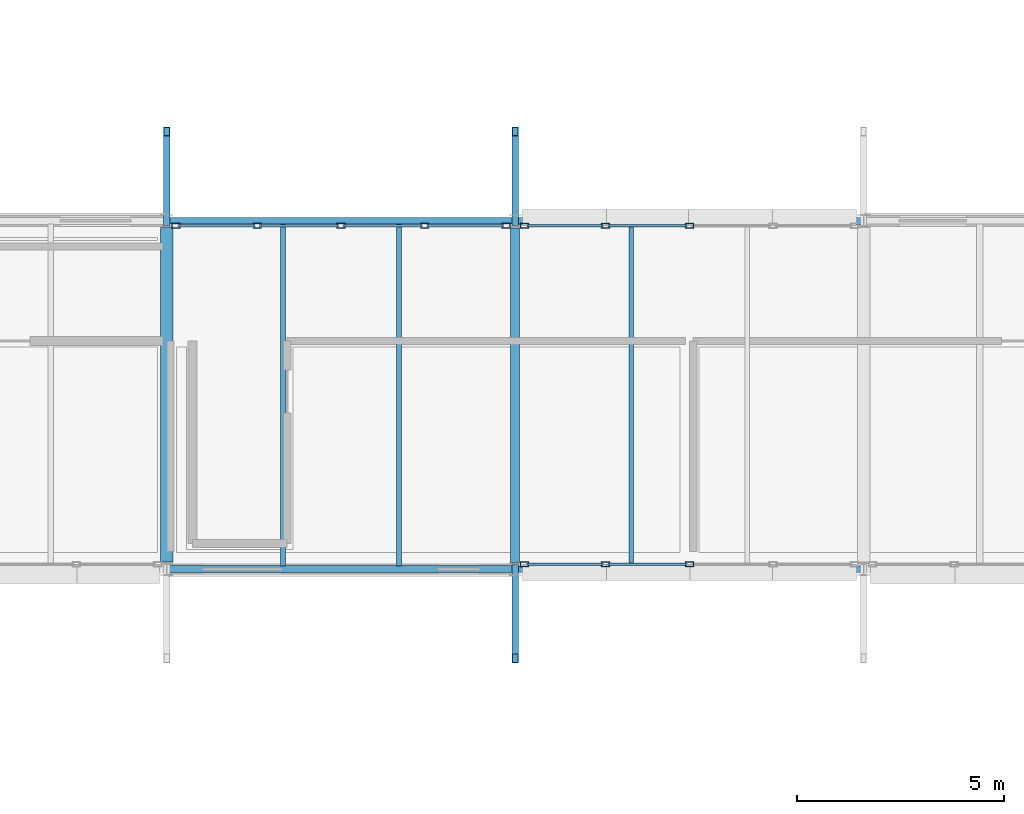
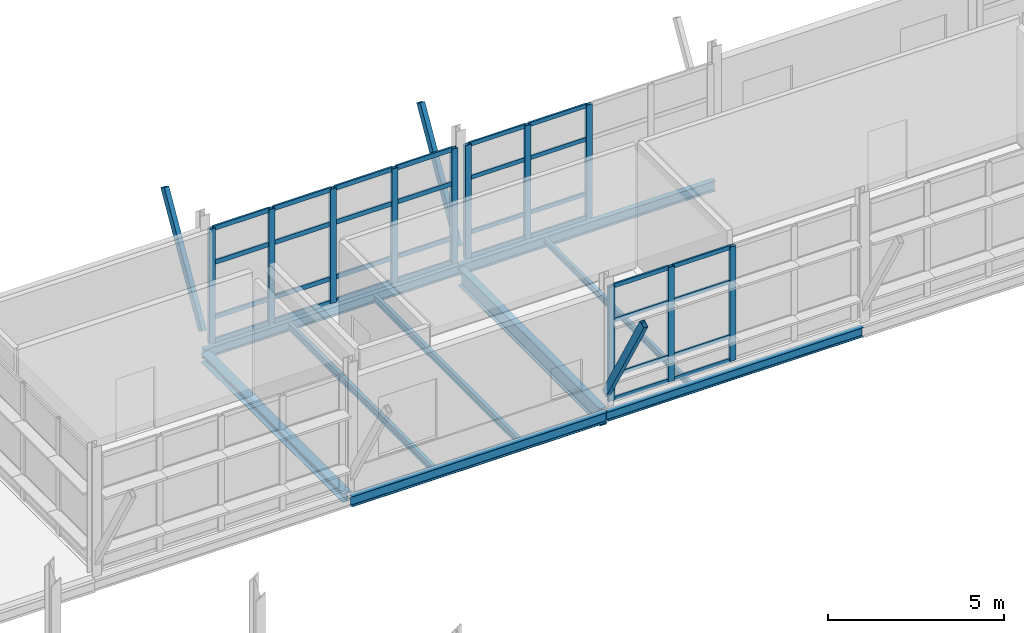
# One storey, part 21 of 129: 46 members, 9 beams, 3 elements without a shape of their own.
"""IFC4 building model written with IfcOpenShell, lengths in metres."""

from ifc_helpers import new_model, si_unit, direction, frame, origin, origin_2d, place, context, subcontext, project, spatial, hollow_rectangle, i_section, extrude, material, material_profile, profile_set, type_object, element, aggregate, save


model = new_model("IFC4")

# Units and contexts
model_context = context("Model", 3, precision=1e-05, world=origin(), true_north=direction((0.0, 1.0)))
body_context = subcontext(model_context, "Body", "Model", "MODEL_VIEW")
ifc_project = project(units=[si_unit("LENGTHUNIT", "METRE"), si_unit("AREAUNIT", "SQUARE_METRE"), si_unit("VOLUMEUNIT", "CUBIC_METRE"), si_unit("PLANEANGLEUNIT", "RADIAN"), si_unit("MASSUNIT", "GRAM", prefix="KILO")], contexts=[model_context])

# Site, building, storey
site_placement = place(None, origin())
site = spatial("IfcSite", under=ifc_project, at=site_placement, CompositionType="ELEMENT")
building_placement = place(site_placement, origin())
building = spatial("IfcBuilding", under=site, at=building_placement, Name="Mersafa Astral City Hall", CompositionType="ELEMENT")
storey_placement = place(building_placement, frame((0.0, 0.0, 5.39990234375)))
storey = spatial("IfcBuildingStorey", under=building, at=storey_placement, Name="L01", CompositionType="ELEMENT", Elevation=5.39990234375)

# Curtain wall, members
ifc_material_1 = material(Name="Anodised bronze aluminium framing", Category="aluminium")
curtain_wall_type_1 = type_object("IfcCurtainWallType", Name="ENV-CW-2", PredefinedType="USERDEFINED", material=ifc_material_1)
curtain_wall_1_placement = place(storey_placement, origin())
curtain_wall_1 = element("IfcCurtainWall", 1, at=curtain_wall_1_placement, inside=storey, type_object=curtain_wall_type_1, Name="L01 Unitised solar curtain wall 97", ObjectType="UNITISED CURTAIN WALL", PredefinedType="USERDEFINED")
ifc_material_profile_1 = material_profile(ifc_material_1, hollow_rectangle(XDim=0.1201171875, YDim=0.199951171875, WallThickness=0.008056640625, at=origin_2d()), Name="RHS 120x200x8")
ifc_profile_set_1 = profile_set([ifc_material_profile_1], Name="Anodised bronze aluminium framing")
member_type_1 = type_object("IfcMemberType", Name="ENV-CW-MUL-2", PredefinedType="MULLION", material=ifc_profile_set_1)
member_1_placement = place(storey_placement, frame((63.0, 58.679931640625, -0.001953125), z_axis=(0.0, 0.0, 1.0), x_axis=(0.0, -1.0, 0.0)))
member_1 = element("IfcMember", 2, at=member_1_placement, type_object=member_type_1, Name="CW-2 mullion 3", PredefinedType="MULLION", context=body_context, shape_type="SweptSolid", body=[
    extrude(hollow_rectangle(XDim=0.1201171875, YDim=0.199951171875, WallThickness=0.008056640625, at=origin_2d()), origin(), (0.0, 0.0, 1.0), 3.93896484375),
])
member_2_placement = place(storey_placement, frame((60.98095703125, 58.679931640625, -0.001953125), z_axis=(0.0, 0.0, 1.0), x_axis=(0.0, -1.0, 0.0)))
member_2 = element("IfcMember", 3, at=member_2_placement, type_object=member_type_1, Name="CW-2 mullion 4", PredefinedType="MULLION", context=body_context, shape_type="SweptSolid", body=[
    extrude(hollow_rectangle(XDim=0.1201171875, YDim=0.199951171875, WallThickness=0.008056640625, at=origin_2d()), origin(), (0.0, 0.0, 1.0), 3.93896484375),
])
member_3_placement = place(storey_placement, frame((59.02197265625, 58.679931640625, -0.001953125), z_axis=(0.0, 0.0, 1.0), x_axis=(0.0, -1.0, 0.0)))
member_3 = element("IfcMember", 4, at=member_3_placement, type_object=member_type_1, Name="CW-2 mullion 5", PredefinedType="MULLION", context=body_context, shape_type="SweptSolid", body=[
    extrude(hollow_rectangle(XDim=0.1201171875, YDim=0.199951171875, WallThickness=0.008056640625, at=origin_2d()), origin(), (0.0, 0.0, 1.0), 3.93896484375),
])

curtain_wall_type_2 = type_object("IfcCurtainWallType", Name="ENV-CW-3", PredefinedType="USERDEFINED", material=ifc_material_1)
curtain_wall_2_placement = place(storey_placement, origin())
curtain_wall_2 = element("IfcCurtainWall", 5, at=curtain_wall_2_placement, inside=storey, type_object=curtain_wall_type_2, Name="L01 Unitised solar curtain wall 98", ObjectType="UNITISED CURTAIN WALL", PredefinedType="USERDEFINED")
member_4_placement = place(storey_placement, frame((58.577880859375, 58.679931640625, -0.001953125), z_axis=(0.0, 0.0, 1.0), x_axis=(0.0, -1.0, 0.0)))
member_4 = element("IfcMember", 6, at=member_4_placement, type_object=member_type_1, Name="CW-3 mullion 1", PredefinedType="MULLION", context=body_context, shape_type="SweptSolid", body=[
    extrude(hollow_rectangle(XDim=0.1201171875, YDim=0.199951171875, WallThickness=0.008056640625, at=origin_2d()), origin(), (0.0, 0.0, 1.0), 3.968994140625),
])
member_5_placement = place(storey_placement, frame((56.618896484375, 58.679931640625, -0.001953125), z_axis=(0.0, 0.0, 1.0), x_axis=(0.0, -1.0, 0.0)))
member_5 = element("IfcMember", 7, at=member_5_placement, type_object=member_type_1, Name="CW-3 mullion 2", PredefinedType="MULLION", context=body_context, shape_type="SweptSolid", body=[
    extrude(hollow_rectangle(XDim=0.1201171875, YDim=0.199951171875, WallThickness=0.008056640625, at=origin_2d()), origin(), (0.0, 0.0, 1.0), 3.968994140625),
])
member_6_placement = place(storey_placement, frame((54.60009765625, 58.679931640625, -0.001953125), z_axis=(0.0, 0.0, 1.0), x_axis=(0.0, -1.0, 0.0)))
member_6 = element("IfcMember", 8, at=member_6_placement, type_object=member_type_1, Name="CW-3 mullion 3", PredefinedType="MULLION", context=body_context, shape_type="SweptSolid", body=[
    extrude(hollow_rectangle(XDim=0.1201171875, YDim=0.199951171875, WallThickness=0.008056640625, at=origin_2d()), origin(), (0.0, 0.0, 1.0), 3.968994140625),
])
member_7_placement = place(storey_placement, frame((52.5810546875, 58.679931640625, -0.001953125), z_axis=(0.0, 0.0, 1.0), x_axis=(0.0, -1.0, 0.0)))
member_7 = element("IfcMember", 9, at=member_7_placement, type_object=member_type_1, Name="CW-3 mullion 4", PredefinedType="MULLION", context=body_context, shape_type="SweptSolid", body=[
    extrude(hollow_rectangle(XDim=0.1201171875, YDim=0.199951171875, WallThickness=0.008056640625, at=origin_2d()), origin(), (0.0, 0.0, 1.0), 3.968994140625),
])
member_8_placement = place(storey_placement, frame((50.6220703125, 58.679931640625, -0.001953125), z_axis=(0.0, 0.0, 1.0), x_axis=(0.0, -1.0, 0.0)))
member_8 = element("IfcMember", 10, at=member_8_placement, type_object=member_type_1, Name="CW-3 mullion 5", PredefinedType="MULLION", context=body_context, shape_type="SweptSolid", body=[
    extrude(hollow_rectangle(XDim=0.1201171875, YDim=0.199951171875, WallThickness=0.008056640625, at=origin_2d()), origin(), (0.0, 0.0, 1.0), 3.968994140625),
])

curtain_wall_type_3 = type_object("IfcCurtainWallType", Name="ENV-CW-6", PredefinedType="USERDEFINED", material=ifc_material_1)
curtain_wall_3_placement = place(storey_placement, origin())
curtain_wall_3 = element("IfcCurtainWall", 11, at=curtain_wall_3_placement, inside=storey, type_object=curtain_wall_type_3, Name="L01 Unitised solar curtain wall 101", ObjectType="UNITISED CURTAIN WALL", PredefinedType="USERDEFINED")
member_9_placement = place(storey_placement, frame((59.02197265625, 50.52001953125, -0.001953125), z_axis=(0.0, 0.0, 1.0), x_axis=(0.0, 1.0, 0.0)))
member_9 = element("IfcMember", 12, at=member_9_placement, type_object=member_type_1, Name="CW-6 mullion 1", PredefinedType="MULLION", context=body_context, shape_type="SweptSolid", body=[
    extrude(hollow_rectangle(XDim=0.1201171875, YDim=0.199951171875, WallThickness=0.008056640625, at=origin_2d()), origin(), (0.0, 0.0, 1.0), 3.968994140625),
])
member_10_placement = place(storey_placement, frame((60.98095703125, 50.52001953125, -0.001953125), z_axis=(0.0, 0.0, 1.0), x_axis=(0.0, 1.0, 0.0)))
member_10 = element("IfcMember", 13, at=member_10_placement, type_object=member_type_1, Name="CW-6 mullion 2", PredefinedType="MULLION", context=body_context, shape_type="SweptSolid", body=[
    extrude(hollow_rectangle(XDim=0.1201171875, YDim=0.199951171875, WallThickness=0.008056640625, at=origin_2d()), origin(), (0.0, 0.0, 1.0), 3.968994140625),
])
member_11_placement = place(storey_placement, frame((63.0, 50.52001953125, -0.001953125), z_axis=(0.0, 0.0, 1.0), x_axis=(0.0, 1.0, 0.0)))
member_11 = element("IfcMember", 14, at=member_11_placement, type_object=member_type_1, Name="CW-6 mullion 3", PredefinedType="MULLION", context=body_context, shape_type="SweptSolid", body=[
    extrude(hollow_rectangle(XDim=0.1201171875, YDim=0.199951171875, WallThickness=0.008056640625, at=origin_2d()), origin(), (0.0, 0.0, 1.0), 3.968994140625),
])

# Member
ifc_material_profile_2 = material_profile(ifc_material_1, hollow_rectangle(XDim=0.06005859375, YDim=0.139892578125, WallThickness=0.00390625, at=origin_2d()), Name="RHS 60x140x4")
ifc_profile_set_2 = profile_set([ifc_material_profile_2], Name="Anodised bronze aluminium framing")
member_type_2 = type_object("IfcMemberType", Name="ENV-CW-TRN-1", PredefinedType="USERDEFINED", material=ifc_profile_set_2)
member_12_placement = place(storey_placement, frame((62.93994140625, 58.679931640625, 0.028076171875), z_axis=(-1.0, 0.0, 0.0), x_axis=(0.0, -1.0, 0.0)))
member_12 = element("IfcMember", 15, at=member_12_placement, type_object=member_type_2, Name="CW-2 transom 3.1", ObjectType="TRANSOM", PredefinedType="USERDEFINED", context=body_context, shape_type="SweptSolid", body=[
    extrude(hollow_rectangle(XDim=0.06005859375, YDim=0.139892578125, WallThickness=0.00390625, at=origin_2d()), origin(), (0.0, 0.0, 1.0), 1.89892578125),
])

member_13_placement = place(storey_placement, frame((62.93994140625, 58.679931640625, 0.85009765625), z_axis=(-1.0, 0.0, 0.0), x_axis=(0.0, -1.0, 0.0)))
member_13 = element("IfcMember", 16, at=member_13_placement, type_object=member_type_2, Name="CW-2 transom 3.2", ObjectType="TRANSOM", PredefinedType="USERDEFINED", context=body_context, shape_type="SweptSolid", body=[
    extrude(hollow_rectangle(XDim=0.06005859375, YDim=0.139892578125, WallThickness=0.00390625, at=origin_2d()), origin(), (0.0, 0.0, 1.0), 1.89892578125),
])

member_14_placement = place(storey_placement, frame((62.93994140625, 58.679931640625, 2.75), z_axis=(-1.0, 0.0, 0.0), x_axis=(0.0, -1.0, 0.0)))
member_14 = element("IfcMember", 17, at=member_14_placement, type_object=member_type_2, Name="CW-2 transom 3.3", ObjectType="TRANSOM", PredefinedType="USERDEFINED", context=body_context, shape_type="SweptSolid", body=[
    extrude(hollow_rectangle(XDim=0.06005859375, YDim=0.139892578125, WallThickness=0.00390625, at=origin_2d()), origin(), (0.0, 0.0, 1.0), 1.89892578125),
])

member_15_placement = place(storey_placement, frame((62.93994140625, 58.679931640625, 3.906982421875), z_axis=(-1.0, 0.0, 0.0), x_axis=(0.0, -1.0, 0.0)))
member_15 = element("IfcMember", 18, at=member_15_placement, type_object=member_type_2, Name="CW-2 transom 3.4", ObjectType="TRANSOM", PredefinedType="USERDEFINED", context=body_context, shape_type="SweptSolid", body=[
    extrude(hollow_rectangle(XDim=0.06005859375, YDim=0.139892578125, WallThickness=0.00390625, at=origin_2d()), origin(), (0.0, 0.0, 1.0), 1.89892578125),
])

member_16_placement = place(storey_placement, frame((60.9208984375, 58.679931640625, 0.028076171875), z_axis=(-1.0, 0.0, 0.0), x_axis=(0.0, -1.0, 0.0)))
member_16 = element("IfcMember", 19, at=member_16_placement, type_object=member_type_2, Name="CW-2 transom 4.1", ObjectType="TRANSOM", PredefinedType="USERDEFINED", context=body_context, shape_type="SweptSolid", body=[
    extrude(hollow_rectangle(XDim=0.06005859375, YDim=0.139892578125, WallThickness=0.00390625, at=origin_2d()), origin(), (0.0, 0.0, 1.0), 1.8388671875),
])

member_17_placement = place(storey_placement, frame((60.9208984375, 58.679931640625, 0.85009765625), z_axis=(-1.0, 0.0, 0.0), x_axis=(0.0, -1.0, 0.0)))
member_17 = element("IfcMember", 20, at=member_17_placement, type_object=member_type_2, Name="CW-2 transom 4.2", ObjectType="TRANSOM", PredefinedType="USERDEFINED", context=body_context, shape_type="SweptSolid", body=[
    extrude(hollow_rectangle(XDim=0.06005859375, YDim=0.139892578125, WallThickness=0.00390625, at=origin_2d()), origin(), (0.0, 0.0, 1.0), 1.8388671875),
])

member_18_placement = place(storey_placement, frame((60.9208984375, 58.679931640625, 2.75), z_axis=(-1.0, 0.0, 0.0), x_axis=(0.0, -1.0, 0.0)))
member_18 = element("IfcMember", 21, at=member_18_placement, type_object=member_type_2, Name="CW-2 transom 4.3", ObjectType="TRANSOM", PredefinedType="USERDEFINED", context=body_context, shape_type="SweptSolid", body=[
    extrude(hollow_rectangle(XDim=0.06005859375, YDim=0.139892578125, WallThickness=0.00390625, at=origin_2d()), origin(), (0.0, 0.0, 1.0), 1.8388671875),
])

member_19_placement = place(storey_placement, frame((60.9208984375, 58.679931640625, 3.906982421875), z_axis=(-1.0, 0.0, 0.0), x_axis=(0.0, -1.0, 0.0)))
member_19 = element("IfcMember", 22, at=member_19_placement, type_object=member_type_2, Name="CW-2 transom 4.4", ObjectType="TRANSOM", PredefinedType="USERDEFINED", context=body_context, shape_type="SweptSolid", body=[
    extrude(hollow_rectangle(XDim=0.06005859375, YDim=0.139892578125, WallThickness=0.00390625, at=origin_2d()), origin(), (0.0, 0.0, 1.0), 1.8388671875),
])

aggregate(curtain_wall_1, [member_1, member_2, member_3, member_12, member_13, member_14, member_15, member_16, member_17, member_18, member_19])

member_20_placement = place(storey_placement, frame((59.08203125, 50.52001953125, 0.028076171875), z_axis=(1.0, 0.0, 0.0), x_axis=(0.0, 1.0, 0.0)))
member_20 = element("IfcMember", 23, at=member_20_placement, type_object=member_type_2, Name="CW-6 transom 1.1", ObjectType="TRANSOM", PredefinedType="USERDEFINED", context=body_context, shape_type="SweptSolid", body=[
    extrude(hollow_rectangle(XDim=0.06005859375, YDim=0.139892578125, WallThickness=0.00390625, at=origin_2d()), origin(), (0.0, 0.0, 1.0), 1.8388671875),
])

member_21_placement = place(storey_placement, frame((59.08203125, 50.52001953125, 0.85009765625), z_axis=(1.0, 0.0, 0.0), x_axis=(0.0, 1.0, 0.0)))
member_21 = element("IfcMember", 24, at=member_21_placement, type_object=member_type_2, Name="CW-6 transom 1.2", ObjectType="TRANSOM", PredefinedType="USERDEFINED", context=body_context, shape_type="SweptSolid", body=[
    extrude(hollow_rectangle(XDim=0.06005859375, YDim=0.139892578125, WallThickness=0.00390625, at=origin_2d()), origin(), (0.0, 0.0, 1.0), 1.8388671875),
])

member_22_placement = place(storey_placement, frame((59.08203125, 50.52001953125, 2.75), z_axis=(1.0, 0.0, 0.0), x_axis=(0.0, 1.0, 0.0)))
member_22 = element("IfcMember", 25, at=member_22_placement, type_object=member_type_2, Name="CW-6 transom 1.3", ObjectType="TRANSOM", PredefinedType="USERDEFINED", context=body_context, shape_type="SweptSolid", body=[
    extrude(hollow_rectangle(XDim=0.06005859375, YDim=0.139892578125, WallThickness=0.00390625, at=origin_2d()), origin(), (0.0, 0.0, 1.0), 1.8388671875),
])

member_23_placement = place(storey_placement, frame((59.08203125, 50.52001953125, 3.93701171875), z_axis=(1.0, 0.0, 0.0), x_axis=(0.0, 1.0, 0.0)))
member_23 = element("IfcMember", 26, at=member_23_placement, type_object=member_type_2, Name="CW-6 transom 1.4", ObjectType="TRANSOM", PredefinedType="USERDEFINED", context=body_context, shape_type="SweptSolid", body=[
    extrude(hollow_rectangle(XDim=0.06005859375, YDim=0.139892578125, WallThickness=0.00390625, at=origin_2d()), origin(), (0.0, 0.0, 1.0), 1.8388671875),
])

member_24_placement = place(storey_placement, frame((61.041015625, 50.52001953125, 0.028076171875), z_axis=(1.0, 0.0, 0.0), x_axis=(0.0, 1.0, 0.0)))
member_24 = element("IfcMember", 27, at=member_24_placement, type_object=member_type_2, Name="CW-6 transom 2.1", ObjectType="TRANSOM", PredefinedType="USERDEFINED", context=body_context, shape_type="SweptSolid", body=[
    extrude(hollow_rectangle(XDim=0.06005859375, YDim=0.139892578125, WallThickness=0.00390625, at=origin_2d()), origin(), (0.0, 0.0, 1.0), 1.89892578125),
])

member_25_placement = place(storey_placement, frame((61.041015625, 50.52001953125, 0.85009765625), z_axis=(1.0, 0.0, 0.0), x_axis=(0.0, 1.0, 0.0)))
member_25 = element("IfcMember", 28, at=member_25_placement, type_object=member_type_2, Name="CW-6 transom 2.2", ObjectType="TRANSOM", PredefinedType="USERDEFINED", context=body_context, shape_type="SweptSolid", body=[
    extrude(hollow_rectangle(XDim=0.06005859375, YDim=0.139892578125, WallThickness=0.00390625, at=origin_2d()), origin(), (0.0, 0.0, 1.0), 1.89892578125),
])

member_26_placement = place(storey_placement, frame((61.041015625, 50.52001953125, 2.75), z_axis=(1.0, 0.0, 0.0), x_axis=(0.0, 1.0, 0.0)))
member_26 = element("IfcMember", 29, at=member_26_placement, type_object=member_type_2, Name="CW-6 transom 2.3", ObjectType="TRANSOM", PredefinedType="USERDEFINED", context=body_context, shape_type="SweptSolid", body=[
    extrude(hollow_rectangle(XDim=0.06005859375, YDim=0.139892578125, WallThickness=0.00390625, at=origin_2d()), origin(), (0.0, 0.0, 1.0), 1.89892578125),
])

member_27_placement = place(storey_placement, frame((61.041015625, 50.52001953125, 3.93701171875), z_axis=(1.0, 0.0, 0.0), x_axis=(0.0, 1.0, 0.0)))
member_27 = element("IfcMember", 30, at=member_27_placement, type_object=member_type_2, Name="CW-6 transom 2.4", ObjectType="TRANSOM", PredefinedType="USERDEFINED", context=body_context, shape_type="SweptSolid", body=[
    extrude(hollow_rectangle(XDim=0.06005859375, YDim=0.139892578125, WallThickness=0.00390625, at=origin_2d()), origin(), (0.0, 0.0, 1.0), 1.89892578125),
])

aggregate(curtain_wall_3, [member_9, member_10, member_11, member_20, member_21, member_22, member_23, member_24, member_25, member_26, member_27])

ifc_material_profile_3 = material_profile(ifc_material_1, hollow_rectangle(XDim=0.06005859375, YDim=0.159912109375, WallThickness=0.00390625, at=origin_2d()), Name="RHS 60x160x4")
ifc_profile_set_3 = profile_set([ifc_material_profile_3], Name="Anodised bronze aluminium framing")
member_type_3 = type_object("IfcMemberType", Name="ENV-CW-TRN-2", PredefinedType="USERDEFINED", material=ifc_profile_set_3)
member_28_placement = place(storey_placement, frame((58.51806640625, 58.679931640625, 0.028076171875), z_axis=(-1.0, 0.0, 0.0), x_axis=(0.0, -1.0, 0.0)))
member_28 = element("IfcMember", 31, at=member_28_placement, type_object=member_type_3, Name="CW-3 transom 1.1", ObjectType="TRANSOM", PredefinedType="USERDEFINED", context=body_context, shape_type="SweptSolid", body=[
    extrude(hollow_rectangle(XDim=0.06005859375, YDim=0.159912109375, WallThickness=0.00390625, at=origin_2d()), origin(), (0.0, 0.0, 1.0), 1.839111328125),
])

member_29_placement = place(storey_placement, frame((58.51806640625, 58.679931640625, 0.85009765625), z_axis=(-1.0, 0.0, 0.0), x_axis=(0.0, -1.0, 0.0)))
member_29 = element("IfcMember", 32, at=member_29_placement, type_object=member_type_3, Name="CW-3 transom 1.2", ObjectType="TRANSOM", PredefinedType="USERDEFINED", context=body_context, shape_type="SweptSolid", body=[
    extrude(hollow_rectangle(XDim=0.06005859375, YDim=0.159912109375, WallThickness=0.00390625, at=origin_2d()), origin(), (0.0, 0.0, 1.0), 1.839111328125),
])

member_30_placement = place(storey_placement, frame((58.51806640625, 58.679931640625, 2.75), z_axis=(-1.0, 0.0, 0.0), x_axis=(0.0, -1.0, 0.0)))
member_30 = element("IfcMember", 33, at=member_30_placement, type_object=member_type_3, Name="CW-3 transom 1.3", ObjectType="TRANSOM", PredefinedType="USERDEFINED", context=body_context, shape_type="SweptSolid", body=[
    extrude(hollow_rectangle(XDim=0.06005859375, YDim=0.159912109375, WallThickness=0.00390625, at=origin_2d()), origin(), (0.0, 0.0, 1.0), 1.839111328125),
])

member_31_placement = place(storey_placement, frame((58.51806640625, 58.679931640625, 3.93701171875), z_axis=(-1.0, 0.0, 0.0), x_axis=(0.0, -1.0, 0.0)))
member_31 = element("IfcMember", 34, at=member_31_placement, type_object=member_type_3, Name="CW-3 transom 1.4", ObjectType="TRANSOM", PredefinedType="USERDEFINED", context=body_context, shape_type="SweptSolid", body=[
    extrude(hollow_rectangle(XDim=0.06005859375, YDim=0.159912109375, WallThickness=0.00390625, at=origin_2d()), origin(), (0.0, 0.0, 1.0), 1.839111328125),
])

member_32_placement = place(storey_placement, frame((56.55908203125, 58.679931640625, 0.028076171875), z_axis=(-1.0, 0.0, 0.0), x_axis=(0.0, -1.0, 0.0)))
member_32 = element("IfcMember", 35, at=member_32_placement, type_object=member_type_3, Name="CW-3 transom 2.1", ObjectType="TRANSOM", PredefinedType="USERDEFINED", context=body_context, shape_type="SweptSolid", body=[
    extrude(hollow_rectangle(XDim=0.06005859375, YDim=0.159912109375, WallThickness=0.00390625, at=origin_2d()), origin(), (0.0, 0.0, 1.0), 1.899169921875),
])

member_33_placement = place(storey_placement, frame((56.55908203125, 58.679931640625, 0.85009765625), z_axis=(-1.0, 0.0, 0.0), x_axis=(0.0, -1.0, 0.0)))
member_33 = element("IfcMember", 36, at=member_33_placement, type_object=member_type_3, Name="CW-3 transom 2.2", ObjectType="TRANSOM", PredefinedType="USERDEFINED", context=body_context, shape_type="SweptSolid", body=[
    extrude(hollow_rectangle(XDim=0.06005859375, YDim=0.159912109375, WallThickness=0.00390625, at=origin_2d()), origin(), (0.0, 0.0, 1.0), 1.899169921875),
])

member_34_placement = place(storey_placement, frame((56.55908203125, 58.679931640625, 2.75), z_axis=(-1.0, 0.0, 0.0), x_axis=(0.0, -1.0, 0.0)))
member_34 = element("IfcMember", 37, at=member_34_placement, type_object=member_type_3, Name="CW-3 transom 2.3", ObjectType="TRANSOM", PredefinedType="USERDEFINED", context=body_context, shape_type="SweptSolid", body=[
    extrude(hollow_rectangle(XDim=0.06005859375, YDim=0.159912109375, WallThickness=0.00390625, at=origin_2d()), origin(), (0.0, 0.0, 1.0), 1.899169921875),
])

member_35_placement = place(storey_placement, frame((56.55908203125, 58.679931640625, 3.93701171875), z_axis=(-1.0, 0.0, 0.0), x_axis=(0.0, -1.0, 0.0)))
member_35 = element("IfcMember", 38, at=member_35_placement, type_object=member_type_3, Name="CW-3 transom 2.4", ObjectType="TRANSOM", PredefinedType="USERDEFINED", context=body_context, shape_type="SweptSolid", body=[
    extrude(hollow_rectangle(XDim=0.06005859375, YDim=0.159912109375, WallThickness=0.00390625, at=origin_2d()), origin(), (0.0, 0.0, 1.0), 1.899169921875),
])

member_36_placement = place(storey_placement, frame((54.5400390625, 58.679931640625, 0.028076171875), z_axis=(-1.0, 0.0, 0.0), x_axis=(0.0, -1.0, 0.0)))
member_36 = element("IfcMember", 39, at=member_36_placement, type_object=member_type_3, Name="CW-3 transom 3.1", ObjectType="TRANSOM", PredefinedType="USERDEFINED", context=body_context, shape_type="SweptSolid", body=[
    extrude(hollow_rectangle(XDim=0.06005859375, YDim=0.159912109375, WallThickness=0.00390625, at=origin_2d()), origin(), (0.0, 0.0, 1.0), 1.89892578125),
])

member_37_placement = place(storey_placement, frame((54.5400390625, 58.679931640625, 0.85009765625), z_axis=(-1.0, 0.0, 0.0), x_axis=(0.0, -1.0, 0.0)))
member_37 = element("IfcMember", 40, at=member_37_placement, type_object=member_type_3, Name="CW-3 transom 3.2", ObjectType="TRANSOM", PredefinedType="USERDEFINED", context=body_context, shape_type="SweptSolid", body=[
    extrude(hollow_rectangle(XDim=0.06005859375, YDim=0.159912109375, WallThickness=0.00390625, at=origin_2d()), origin(), (0.0, 0.0, 1.0), 1.89892578125),
])

member_38_placement = place(storey_placement, frame((54.5400390625, 58.679931640625, 2.75), z_axis=(-1.0, 0.0, 0.0), x_axis=(0.0, -1.0, 0.0)))
member_38 = element("IfcMember", 41, at=member_38_placement, type_object=member_type_3, Name="CW-3 transom 3.3", ObjectType="TRANSOM", PredefinedType="USERDEFINED", context=body_context, shape_type="SweptSolid", body=[
    extrude(hollow_rectangle(XDim=0.06005859375, YDim=0.159912109375, WallThickness=0.00390625, at=origin_2d()), origin(), (0.0, 0.0, 1.0), 1.89892578125),
])

member_39_placement = place(storey_placement, frame((54.5400390625, 58.679931640625, 3.93701171875), z_axis=(-1.0, 0.0, 0.0), x_axis=(0.0, -1.0, 0.0)))
member_39 = element("IfcMember", 42, at=member_39_placement, type_object=member_type_3, Name="CW-3 transom 3.4", ObjectType="TRANSOM", PredefinedType="USERDEFINED", context=body_context, shape_type="SweptSolid", body=[
    extrude(hollow_rectangle(XDim=0.06005859375, YDim=0.159912109375, WallThickness=0.00390625, at=origin_2d()), origin(), (0.0, 0.0, 1.0), 1.89892578125),
])

member_40_placement = place(storey_placement, frame((52.52099609375, 58.679931640625, 0.028076171875), z_axis=(-1.0, 0.0, 0.0), x_axis=(0.0, -1.0, 0.0)))
member_40 = element("IfcMember", 43, at=member_40_placement, type_object=member_type_3, Name="CW-3 transom 4.1", ObjectType="TRANSOM", PredefinedType="USERDEFINED", context=body_context, shape_type="SweptSolid", body=[
    extrude(hollow_rectangle(XDim=0.06005859375, YDim=0.159912109375, WallThickness=0.00390625, at=origin_2d()), origin(), (0.0, 0.0, 1.0), 1.839111328125),
])

member_41_placement = place(storey_placement, frame((52.52099609375, 58.679931640625, 0.85009765625), z_axis=(-1.0, 0.0, 0.0), x_axis=(0.0, -1.0, 0.0)))
member_41 = element("IfcMember", 44, at=member_41_placement, type_object=member_type_3, Name="CW-3 transom 4.2", ObjectType="TRANSOM", PredefinedType="USERDEFINED", context=body_context, shape_type="SweptSolid", body=[
    extrude(hollow_rectangle(XDim=0.06005859375, YDim=0.159912109375, WallThickness=0.00390625, at=origin_2d()), origin(), (0.0, 0.0, 1.0), 1.839111328125),
])

member_42_placement = place(storey_placement, frame((52.52099609375, 58.679931640625, 2.75), z_axis=(-1.0, 0.0, 0.0), x_axis=(0.0, -1.0, 0.0)))
member_42 = element("IfcMember", 45, at=member_42_placement, type_object=member_type_3, Name="CW-3 transom 4.3", ObjectType="TRANSOM", PredefinedType="USERDEFINED", context=body_context, shape_type="SweptSolid", body=[
    extrude(hollow_rectangle(XDim=0.06005859375, YDim=0.159912109375, WallThickness=0.00390625, at=origin_2d()), origin(), (0.0, 0.0, 1.0), 1.839111328125),
])

member_43_placement = place(storey_placement, frame((52.52099609375, 58.679931640625, 3.93701171875), z_axis=(-1.0, 0.0, 0.0), x_axis=(0.0, -1.0, 0.0)))
member_43 = element("IfcMember", 46, at=member_43_placement, type_object=member_type_3, Name="CW-3 transom 4.4", ObjectType="TRANSOM", PredefinedType="USERDEFINED", context=body_context, shape_type="SweptSolid", body=[
    extrude(hollow_rectangle(XDim=0.06005859375, YDim=0.159912109375, WallThickness=0.00390625, at=origin_2d()), origin(), (0.0, 0.0, 1.0), 1.839111328125),
])

aggregate(curtain_wall_2, [member_4, member_5, member_6, member_7, member_8, member_28, member_29, member_30, member_31, member_32, member_33, member_34, member_35, member_36, member_37, member_38, member_39, member_40, member_41, member_42, member_43])

# Beams
ifc_material_2 = material(Name="Steel S355", Category="steel")
ifc_material_profile_4 = material_profile(ifc_material_2, i_section(OverallWidth=0.300048828125, OverallDepth=0.31005859375, WebThickness=0.009033203125, FlangeThickness=0.015380859375, FilletRadius=0.027099609375, at=origin_2d()), Name="HEA 320")
ifc_profile_set_4 = profile_set([ifc_material_profile_4], Name="Steel S355")
beam_type_1 = type_object("IfcBeamType", Name="STR-BM-HEA320", PredefinedType="BEAM", material=ifc_profile_set_4)
beam_1_placement = place(storey_placement, frame((50.39990234375, 50.574951171875, -0.3798828125), z_axis=(0.0, 1.0, 0.0), x_axis=(-1.0, 0.0, 0.0)))
element("IfcBeam", 47, at=beam_1_placement, inside=storey, type_object=beam_type_1, Name="L01 Primary girder Y 6-6", PredefinedType="BEAM", context=body_context, shape_type="SweptSolid", body=[
    extrude(i_section(OverallWidth=0.300048828125, OverallDepth=0.31005859375, WebThickness=0.009033203125, FlangeThickness=0.015380859375, FilletRadius=0.027099609375, at=origin_2d()), origin(), (0.0, 0.0, 1.0), 8.06005859375),
])
ifc_material_profile_5 = material_profile(ifc_material_2, i_section(OverallWidth=0.219970703125, OverallDepth=0.60009765625, WebThickness=0.011962890625, FlangeThickness=0.01904296875, FilletRadius=0.02392578125, at=origin_2d()), Name="IPE 600")
ifc_profile_set_5 = profile_set([ifc_material_profile_5], Name="Steel S355")
beam_type_2 = type_object("IfcBeamType", Name="STR-BM-IPE600", PredefinedType="BEAM", material=ifc_profile_set_5)
beam_2_placement = place(storey_placement, frame((58.800048828125, 50.56494140625, -0.52490234375), z_axis=(0.0, 1.0, 0.0), x_axis=(-1.0, 0.0, 0.0)))
element("IfcBeam", 48, at=beam_2_placement, inside=storey, type_object=beam_type_2, Name="L01 Primary girder Y 7-6", PredefinedType="BEAM", context=body_context, shape_type="SweptSolid", body=[
    extrude(i_section(OverallWidth=0.219970703125, OverallDepth=0.60009765625, WebThickness=0.011962890625, FlangeThickness=0.01904296875, FilletRadius=0.02392578125, at=origin_2d()), origin(), (0.0, 0.0, 1.0), 8.06005859375),
])
ifc_material_profile_6 = material_profile(ifc_material_2, i_section(OverallWidth=0.110107421875, OverallDepth=0.219970703125, WebThickness=0.005859375, FlangeThickness=0.00927734375, FilletRadius=0.011962890625, at=origin_2d()), Name="IPE 220")
ifc_profile_set_6 = profile_set([ifc_material_profile_6], Name="Steel S355")
beam_type_3 = type_object("IfcBeamType", Name="STR-BM-JOIST-IPE220", PredefinedType="JOIST", material=ifc_profile_set_6)
beam_3_placement = place(storey_placement, frame((61.60009765625, 50.47509765625, -0.3349609375), z_axis=(0.0, 1.0, 0.0), x_axis=(-1.0, 0.0, 0.0)))
element("IfcBeam", 49, at=beam_3_placement, inside=storey, type_object=beam_type_3, Name="L01 Composite secondary floor joist 250", PredefinedType="JOIST", context=body_context, shape_type="SweptSolid", body=[
    extrude(i_section(OverallWidth=0.110107421875, OverallDepth=0.219970703125, WebThickness=0.005859375, FlangeThickness=0.00927734375, FilletRadius=0.011962890625, at=origin_2d()), origin(), (0.0, 0.0, 1.0), 8.244873046875),
])
ifc_material_profile_7 = material_profile(ifc_material_2, i_section(OverallWidth=0.1201171875, OverallDepth=0.239990234375, WebThickness=0.006103515625, FlangeThickness=0.009765625, FilletRadius=0.014892578125, at=origin_2d()), Name="IPE 240")
ifc_profile_set_7 = profile_set([ifc_material_profile_7], Name="Steel S355")
beam_type_4 = type_object("IfcBeamType", Name="STR-BM-JOIST-IPE240", PredefinedType="JOIST", material=ifc_profile_set_7)
for number, where, z_axis, x_axis, name in (
    (50, (53.199951171875, 50.47998046875, -0.344970703125), (0.0, 1.0, 0.0), (-1.0, 0.0, 0.0), "L01 Composite secondary floor joist 244"),
    (51, (56.0, 50.47998046875, -0.344970703125), (0.0, 1.0, 0.0), (-1.0, 0.0, 0.0), "L01 Composite secondary floor joist 245"),
):
    element("IfcBeam", number, at=place(storey_placement, frame(where, z_axis=z_axis, x_axis=x_axis)), inside=storey, type_object=beam_type_4, Name=name, PredefinedType="JOIST", context=body_context, shape_type="SweptSolid", body=[
        extrude(i_section(OverallWidth=0.1201171875, OverallDepth=0.239990234375, WebThickness=0.006103515625, FlangeThickness=0.009765625, FilletRadius=0.014892578125, at=origin_2d()), origin(), (0.0, 0.0, 1.0), 8.2451171875),
    ])
ifc_material_profile_8 = material_profile(ifc_material_2, i_section(OverallWidth=0.159912109375, OverallDepth=0.330078125, WebThickness=0.007568359375, FlangeThickness=0.011474609375, FilletRadius=0.01806640625, at=origin_2d()), Name="IPE 330")
ifc_profile_set_8 = profile_set([ifc_material_profile_8], Name="Steel S355")
beam_type_5 = type_object("IfcBeamType", Name="STR-BM-SPANDREL-IPE330", PredefinedType="SPANDREL", material=ifc_profile_set_8)
for number, where, z_axis, x_axis, name in (
    (52, (58.802978515625, 50.39990234375, -0.389892578125), (1.0, 0.0, 0.0), (0.0, 1.0, 0.0), "L01 Primary girder X 7-6"),
    (53, (50.403076171875, 58.800048828125, -0.389892578125), (1.0, 0.0, 0.0), (0.0, 1.0, 0.0), "L01 Primary girder X 6-7"),
):
    element("IfcBeam", number, at=place(storey_placement, frame(where, z_axis=z_axis, x_axis=x_axis)), inside=storey, type_object=beam_type_5, Name=name, PredefinedType="SPANDREL", context=body_context, shape_type="SweptSolid", body=[
        extrude(i_section(OverallWidth=0.159912109375, OverallDepth=0.330078125, WebThickness=0.007568359375, FlangeThickness=0.011474609375, FilletRadius=0.01806640625, at=origin_2d()), origin(), (0.0, 0.0, 1.0), 8.39404296875),
    ])
ifc_material_profile_9 = material_profile(ifc_material_2, i_section(OverallWidth=0.169921875, OverallDepth=0.360107421875, WebThickness=0.008056640625, FlangeThickness=0.0126953125, FilletRadius=0.01806640625, at=origin_2d()), Name="IPE 360")
ifc_profile_set_9 = profile_set([ifc_material_profile_9], Name="Steel S355")
beam_type_6 = type_object("IfcBeamType", Name="STR-BM-SPANDREL-IPE360", PredefinedType="SPANDREL", material=ifc_profile_set_9)
for number, where, z_axis, x_axis, name in (
    (54, (50.403076171875, 50.39990234375, -0.40478515625), (1.0, 0.0, 0.0), (0.0, 1.0, 0.0), "L01 Primary girder X 6-6"),
    (55, (58.802978515625, 58.800048828125, -0.40478515625), (1.0, 0.0, 0.0), (0.0, 1.0, 0.0), "L01 Primary girder X 7-7"),
):
    element("IfcBeam", number, at=place(storey_placement, frame(where, z_axis=z_axis, x_axis=x_axis)), inside=storey, type_object=beam_type_6, Name=name, PredefinedType="SPANDREL", context=body_context, shape_type="SweptSolid", body=[
        extrude(i_section(OverallWidth=0.169921875, OverallDepth=0.360107421875, WebThickness=0.008056640625, FlangeThickness=0.0126953125, FilletRadius=0.01806640625, at=origin_2d()), origin(), (0.0, 0.0, 1.0), 8.39404296875),
    ])

# Members
ifc_material_profile_10 = material_profile(ifc_material_2, hollow_rectangle(XDim=0.14990234375, YDim=0.25, WallThickness=0.010009765625, at=origin_2d()), Name="RHS 150x250x10")
ifc_profile_set_10 = profile_set([ifc_material_profile_10], Name="Steel S355")
member_type_4 = type_object("IfcMemberType", Name="STR-MBR-STRUT-RHS150X250", PredefinedType="BRACE", material=ifc_profile_set_10)
for number, where, z_axis, x_axis, name in (
    (56, (50.39990234375, 58.800048828125, 0.400146484375), (0.0, 0.503423090929, 0.864040040461), (-1.0, 0.0, 0.0), "L01 Raked cosmic eave strut ROOF-T3-V4S N-6"),
    (57, (58.800048828125, 50.39990234375, 0.400146484375), (0.0, -0.503423090929, 0.864040040461), (1.0, 0.0, 0.0), "L01 Raked cosmic eave strut ROOF-T3-V4S S-7"),
    (58, (58.800048828125, 58.800048828125, 0.400146484375), (0.0, 0.503423090929, 0.864040040461), (-1.0, 0.0, 0.0), "L01 Raked cosmic eave strut ROOF-T3-V4S N-7"),
):
    element("IfcMember", number, at=place(storey_placement, frame(where, z_axis=z_axis, x_axis=x_axis)), inside=storey, type_object=member_type_4, Name=name, PredefinedType="BRACE", context=body_context, shape_type="SweptSolid", body=[
        extrude(hollow_rectangle(XDim=0.14990234375, YDim=0.25, WallThickness=0.010009765625, at=origin_2d()), origin(), (0.0, 0.0, 1.0), 4.2705078125),
    ])

save(model, "model.ifc")
